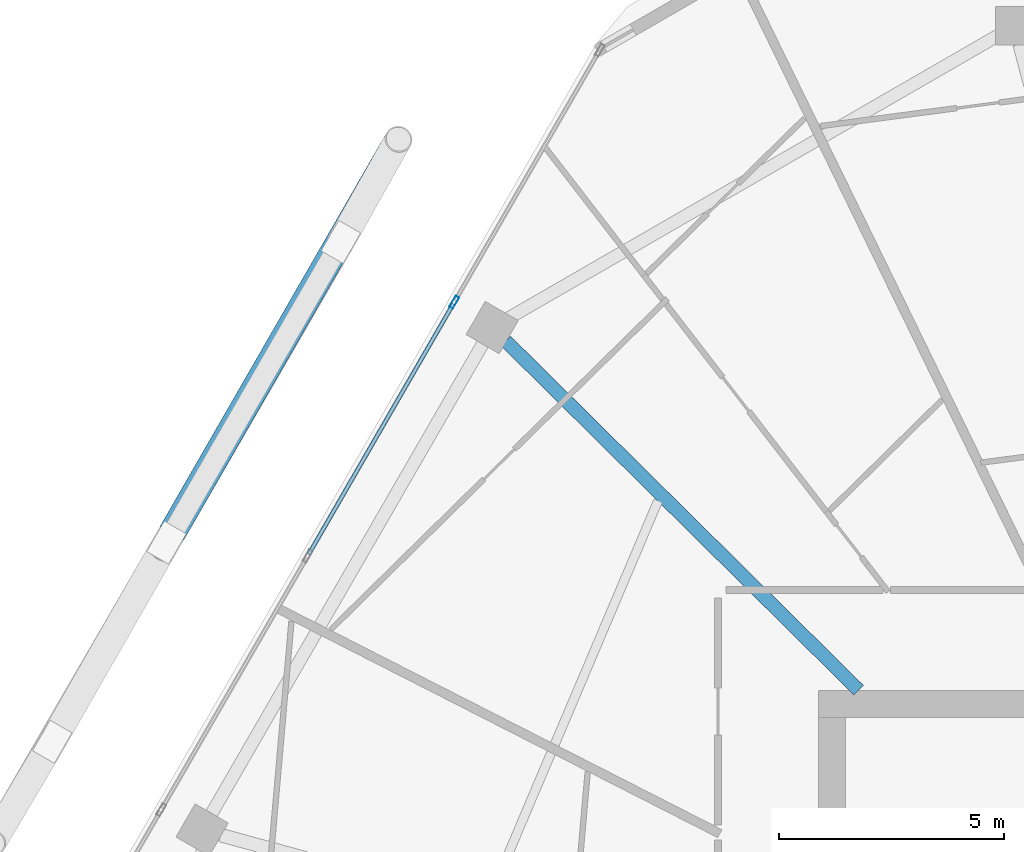
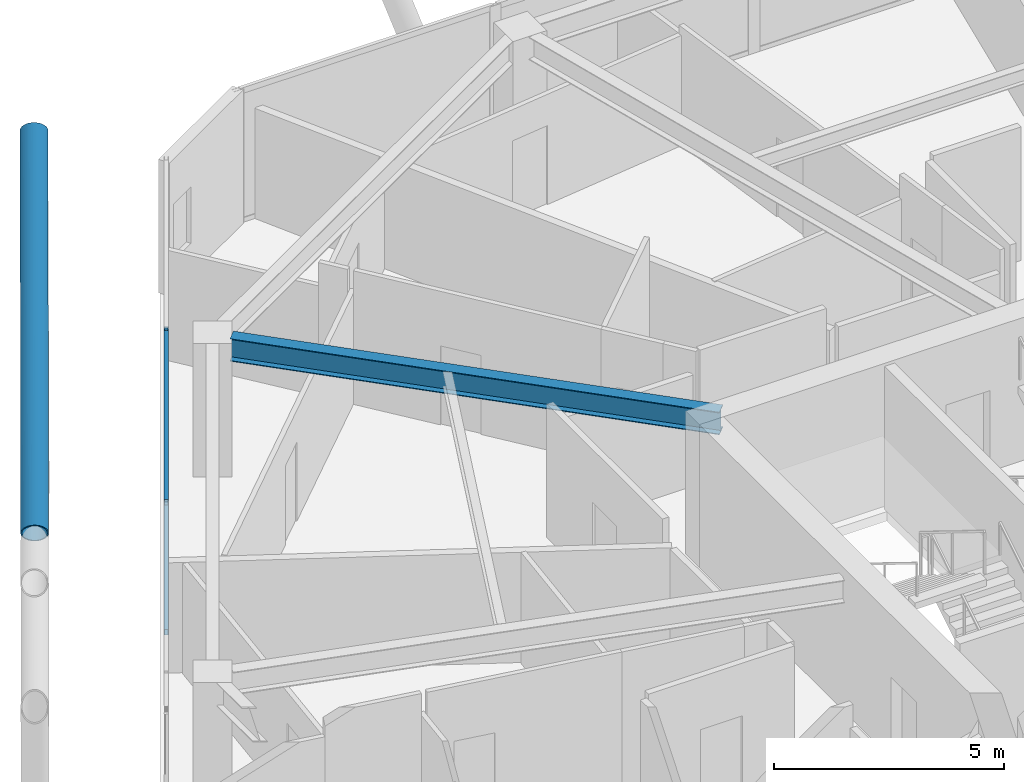
# One storey, part 13 of 28: 4 members, 1 beam, 1 element without a shape of its own.
"""IFC4 building model written with IfcOpenShell, lengths in metres."""

from ifc_helpers import new_model, si_unit, direction, frame, origin, origin_2d, place, context, subcontext, project, spatial, hollow_rectangle, hollow_circle, i_section, extrude, material, material_profile, profile_set, type_object, element, aggregate, save


model = new_model("IFC4")

# Units and contexts
model_context = context("Model", 3, precision=1e-05, world=origin(), true_north=direction((0.0, 1.0)))
body_context = subcontext(model_context, "Body", "Model", "MODEL_VIEW")
ifc_project = project(units=[si_unit("LENGTHUNIT", "METRE"), si_unit("AREAUNIT", "SQUARE_METRE"), si_unit("VOLUMEUNIT", "CUBIC_METRE"), si_unit("PLANEANGLEUNIT", "RADIAN"), si_unit("MASSUNIT", "GRAM", prefix="KILO")], contexts=[model_context])

# Site, building, storey
site_placement = place(None, origin())
site = spatial("IfcSite", under=ifc_project, at=site_placement, CompositionType="ELEMENT")
building_placement = place(site_placement, origin())
building = spatial("IfcBuilding", under=site, at=building_placement, Name="Zuhravey Tower", CompositionType="ELEMENT")
storey_placement = place(building_placement, frame((0.0, 0.0, 284.39990234375)))
storey = spatial("IfcBuildingStorey", under=building, at=storey_placement, Name="L72", CompositionType="ELEMENT", Elevation=284.39990234375)

# Curtain wall, members
ifc_material_1 = material(Name="Thermally broken anodised aluminium", Category="aluminium")
curtain_wall_type = type_object("IfcCurtainWallType", Name="Zone 3-4 High-Rise Curtain Wall CW4", PredefinedType="NOTDEFINED", material=ifc_material_1)
curtain_wall_placement = place(storey_placement, origin())
curtain_wall = element("IfcCurtainWall", 1, at=curtain_wall_placement, inside=storey, type_object=curtain_wall_type, Name="L72 CW4 CW-L72-F3-1", PredefinedType="NOTDEFINED")
ifc_material_2 = material(Name="Anodised aluminium", Category="aluminium")
ifc_material_profile_1 = material_profile(ifc_material_2, hollow_rectangle(XDim=0.090087890625, YDim=0.284912109375, WallThickness=0.0048828125, at=origin_2d()), Name="ALU-RHS-90x285x5")
ifc_profile_set_1 = profile_set([ifc_material_profile_1], Name="Anodised aluminium")
member_type_1 = type_object("IfcMemberType", Name="Curtain-Wall Mullion 90x180", PredefinedType="MULLION", material=ifc_profile_set_1)
member_1_placement = place(storey_placement, frame((17.114501953125, 50.41650390625, 0.0), z_axis=(0.0, 0.0, 1.0), x_axis=(-0.866024851021, 0.500000957414, 0.0)))
member_1 = element("IfcMember", 2, at=member_1_placement, type_object=member_type_1, Name="CW4 mullion 4", PredefinedType="MULLION", context=body_context, shape_type="SweptSolid", body=[
    extrude(hollow_rectangle(XDim=0.090087890625, YDim=0.284912109375, WallThickness=0.0048828125, at=origin_2d()), origin(), (0.0, 0.0, 1.0), 3.550048828125),
])
ifc_material_profile_2 = material_profile(ifc_material_2, hollow_rectangle(XDim=0.090087890625, YDim=0.14990234375, WallThickness=0.0048828125, at=origin_2d()), Name="ALU-RHS-90x150x5")
ifc_profile_set_2 = profile_set([ifc_material_profile_2], Name="Anodised aluminium")
member_type_2 = type_object("IfcMemberType", Name="Curtain-Wall Transom 90x150", PredefinedType="USERDEFINED", material=ifc_profile_set_2)
member_2_placement = place(storey_placement, frame((13.8837890625, 44.82080078125, 0.045166015625), z_axis=(0.500014493347, 0.866017035885, 0.0), x_axis=(-0.866017035885, 0.500014493347, 0.0)))
member_2 = element("IfcMember", 3, at=member_2_placement, type_object=member_type_2, Name="CW4 transom 3.1", ObjectType="TRANSOM", PredefinedType="USERDEFINED", context=body_context, shape_type="SweptSolid", body=[
    extrude(hollow_rectangle(XDim=0.090087890625, YDim=0.14990234375, WallThickness=0.0048828125, at=origin_2d()), origin(), (0.0, 0.0, 1.0), 6.416259765625),
])
member_3_placement = place(storey_placement, frame((13.8837890625, 44.82080078125, 3.505126953125), z_axis=(0.500014493347, 0.866017035885, 0.0), x_axis=(-0.866017035885, 0.500014493347, 0.0)))
member_3 = element("IfcMember", 4, at=member_3_placement, type_object=member_type_2, Name="CW4 transom 3.2", ObjectType="TRANSOM", PredefinedType="USERDEFINED", context=body_context, shape_type="SweptSolid", body=[
    extrude(hollow_rectangle(XDim=0.090087890625, YDim=0.14990234375, WallThickness=0.0048828125, at=origin_2d()), origin(), (0.0, 0.0, 1.0), 6.416259765625),
])
aggregate(curtain_wall, [member_1, member_2, member_3])

# Member
ifc_material_3 = material(Name="Steel SM355", Category="steel")
ifc_material_profile_3 = material_profile(ifc_material_3, hollow_circle(Radius=0.3046875, WallThickness=0.028076171875, at=origin_2d()), Name="CHS-609.6x28")
ifc_profile_set_3 = profile_set([ifc_material_profile_3], Name="Steel SM355")
member_type_3 = type_object("IfcMemberType", Name="Exoskeleton Zone 3 Diagrid CHS610x28", PredefinedType="BRACE", material=ifc_profile_set_3)
member_4_placement = place(storey_placement, frame((10.86279296875, 45.3193359375, 3.437744140625), z_axis=(0.468135192369, 0.813538911139, 0.344969392453), x_axis=(-0.866744974828, 0.498751590084, 0.0)))
element("IfcMember", 5, at=member_4_placement, inside=storey, type_object=member_type_3, Name="L72 Face 3 Split Diagrid Brace 3B", PredefinedType="BRACE", context=body_context, shape_type="SweptSolid", body=[
    extrude(hollow_circle(Radius=0.3046875, WallThickness=0.028076171875, at=origin_2d()), origin(), (0.0, 0.0, 1.0), 10.68017578125),
])

# Beam
ifc_material_profile_4 = material_profile(ifc_material_3, i_section(OverallWidth=0.300048828125, OverallDepth=0.60009765625, WebThickness=0.011962890625, FlangeThickness=0.02001953125, at=origin_2d()), Name="H-600x300x12x20")
ifc_profile_set_4 = profile_set([ifc_material_profile_4], Name="Steel SM355")
beam_type = type_object("IfcBeamType", Name="Radial Primary Girder H600x300", PredefinedType="BEAM", material=ifc_profile_set_4)
beam_placement = place(storey_placement, frame((26.09326171875, 41.802978515625, 3.25), z_axis=(-0.710808169267, 0.70338591577, 0.0), x_axis=(-0.70338591577, -0.710808169267, 0.0)))
element("IfcBeam", 6, at=beam_placement, inside=storey, type_object=beam_type, Name="L72 RG3 BM-L72-RAD-05", PredefinedType="BEAM", context=body_context, shape_type="SweptSolid", body=[
    extrude(i_section(OverallWidth=0.300048828125, OverallDepth=0.60009765625, WebThickness=0.011962890625, FlangeThickness=0.02001953125, at=origin_2d()), origin(), (0.0, 0.0, 1.0), 11.019287109375),
])

save(model, "model.ifc")
